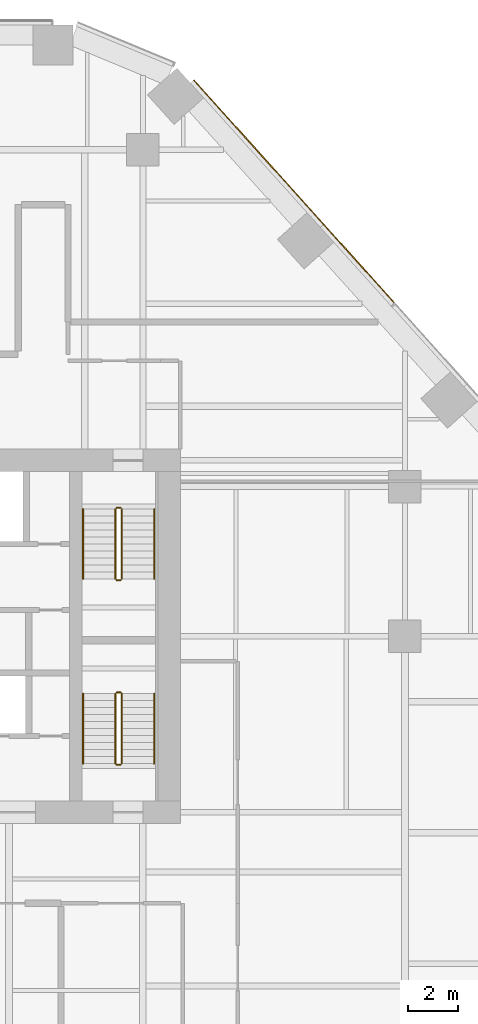
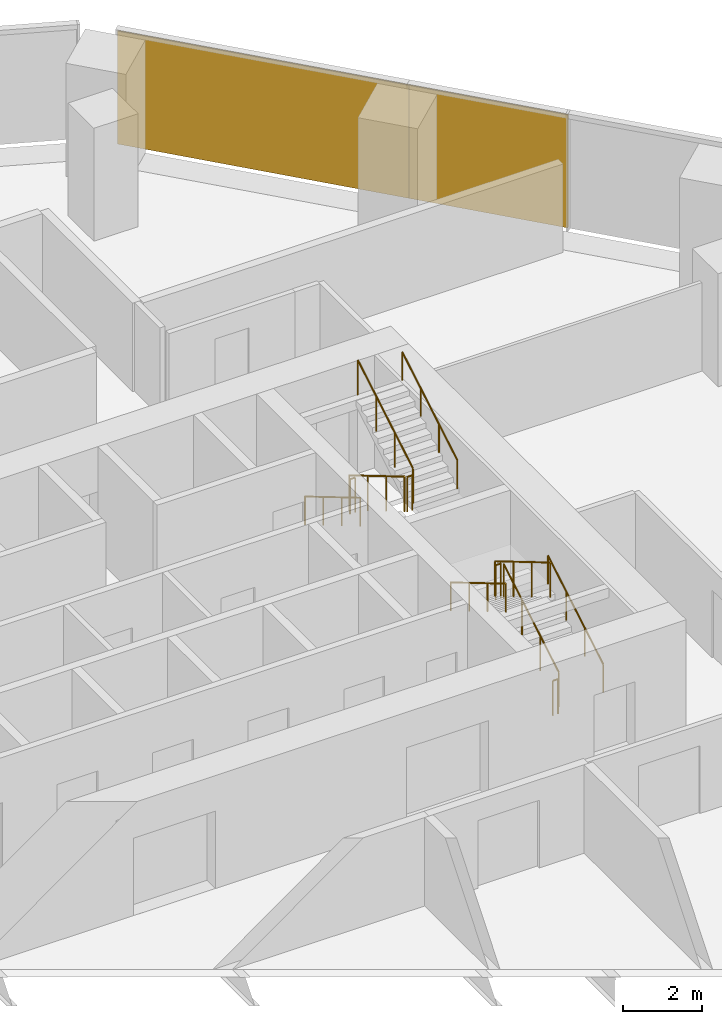
# One storey, part 20 of 21: 12 railings, 2 coverings, 1 element without a shape of its own.
"""IFC4 building model written with IfcOpenShell, lengths in metres."""

from ifc_helpers import new_model, si_unit, direction, frame, origin, origin_2d, place, context, subcontext, project, spatial, rectangle, circle, extrude, material, layer, layer_set, type_object, element, aggregate, save


model = new_model("IFC4")

# Units and contexts
model_context = context("Model", 3, precision=1e-05, world=origin(), true_north=direction((0.0, 1.0)))
body_context = subcontext(model_context, "Body", "Model", "MODEL_VIEW")
ifc_project = project(units=[si_unit("LENGTHUNIT", "METRE"), si_unit("AREAUNIT", "SQUARE_METRE"), si_unit("VOLUMEUNIT", "CUBIC_METRE"), si_unit("PLANEANGLEUNIT", "RADIAN"), si_unit("MASSUNIT", "GRAM", prefix="KILO")], contexts=[model_context])

# Site, building, storey
site_placement = place(None, origin())
site = spatial("IfcSite", under=ifc_project, at=site_placement, CompositionType="ELEMENT")
building_placement = place(site_placement, origin())
building = spatial("IfcBuilding", under=site, at=building_placement, Name="Isthmus Gate Tower", CompositionType="ELEMENT")
storey_placement = place(building_placement, frame((0.0, 0.0, 106.199951171875)))
storey = spatial("IfcBuildingStorey", under=building, at=storey_placement, Name="L25", CompositionType="ELEMENT", Elevation=106.199951171875)

# Curtain wall, coverings
ifc_material_1 = material(Name="Aluminium, pale champagne anodised", Category="aluminium")
ifc_layer_1 = layer(ifc_material_1, 0.199951171875)
ifc_layer_set_1 = layer_set([ifc_layer_1], Name="CW-1 UNITISED CURTAIN WALL 200 DEEP")
curtain_wall_type = type_object("IfcCurtainWallType", Name="CW-1 UNITISED CURTAIN WALL 200 DEEP", PredefinedType="NOTDEFINED", material=ifc_layer_set_1)
curtain_wall_placement = place(storey_placement, origin())
curtain_wall = element("IfcCurtainWall", 1, at=curtain_wall_placement, inside=storey, type_object=curtain_wall_type, Name="CW-1 NE L25", PredefinedType="NOTDEFINED")
ifc_material_2 = material(Name="Aluminium composite panel, pale champagne anodised", Category="aluminium")
ifc_layer_2 = layer(ifc_material_2, 0.0400390625)
ifc_layer_set_2 = layer_set([ifc_layer_2], Name="CW-1 PALE METAL PANEL 40")
covering_type = type_object("IfcCoveringType", Name="CW-1 PALE METAL PANEL 40", PredefinedType="CLADDING", material=ifc_layer_set_2)
covering_1_placement = place(storey_placement, frame((22.1630859375, 22.4326171875, 0.0), z_axis=(0.0, 0.0, 1.0), x_axis=(-0.669130606359, 0.743144825477, 0.0)))
covering_1 = element("IfcCovering", 2, at=covering_1_placement, type_object=covering_type, Name="CW-1 pale metal panel", PredefinedType="CLADDING", context=body_context, shape_type="SweptSolid", body=[
    extrude(rectangle(XDim=4.234619140625, YDim=0.0400390625, at=origin_2d()), origin(), (0.0, 0.0, 1.0), 3.5),
])
covering_2_placement = place(storey_placement, frame((18.14013671875, 26.900390625, 0.0), z_axis=(0.0, 0.0, 1.0), x_axis=(-0.669130606359, 0.743144825477, 0.0)))
covering_2 = element("IfcCovering", 3, at=covering_2_placement, type_object=covering_type, Name="CW-1 pale metal panel", PredefinedType="CLADDING", context=body_context, shape_type="SweptSolid", body=[
    extrude(rectangle(XDim=7.789306640625, YDim=0.0400390625, at=origin_2d()), origin(), (0.0, 0.0, 1.0), 3.5),
])
aggregate(curtain_wall, [covering_1, covering_2])

# Railings
ifc_material_3 = material(Name="Stainless steel balustrade", Category="steel")
railing_type_1 = type_object("IfcRailingType", Name="STAIR GUARD 1100", PredefinedType="GUARDRAIL", material=ifc_material_3)
railing_1_placement = place(storey_placement, frame((12.39990234375, 12.60009765625, 0.166015625)))
element("IfcRailing", 4, at=railing_1_placement, inside=storey, type_object=railing_type_1, Name="L25 ST2 stair guard 1", PredefinedType="GUARDRAIL", context=body_context, shape_type="SweptSolid", body=[
    extrude(circle(Radius=0.02392578125, at=origin_2d()), frame((0.0, 0.0, 1.076171875), z_axis=(0.0, -0.860339051648, 0.50972219513), x_axis=(1.0, 0.0, 0.0)), (0.0, 0.0, 1.0), 3.254638671875),
    extrude(circle(Radius=0.02099609375, at=origin_2d()), origin(), (0.0, 0.0, 1.0), 1.052001953125),
    extrude(circle(Radius=0.02099609375, at=origin_2d()), frame((0.0, -0.933349609375, 0.552978515625)), (0.0, 0.0, 1.0), 1.052001953125),
    extrude(circle(Radius=0.02099609375, at=origin_2d()), frame((0.0, -1.86669921875, 1.10595703125)), (0.0, 0.0, 1.0), 1.052001953125),
    extrude(circle(Radius=0.02099609375, at=origin_2d()), frame((0.0, -2.800048828125, 1.658935546875)), (0.0, 0.0, 1.0), 1.052001953125),
])
railing_2_placement = place(storey_placement, frame((12.449951171875, 9.75, 1.824951171875)))
element("IfcRailing", 5, at=railing_2_placement, inside=storey, type_object=railing_type_1, Name="L25 ST2 stair guard 2", PredefinedType="GUARDRAIL", context=body_context, shape_type="SweptSolid", body=[
    extrude(circle(Radius=0.02392578125, at=origin_2d()), frame((0.0, 0.0, 1.076171875), z_axis=(1.0, 0.0, 0.0), x_axis=(0.0, 1.0, 0.0)), (0.0, 0.0, 1.0), 0.150146484375),
    extrude(circle(Radius=0.02099609375, at=origin_2d()), origin(), (0.0, 0.0, 1.0), 1.052001953125),
    extrude(circle(Radius=0.02099609375, at=origin_2d()), frame((0.150146484375, 0.0, 0.0)), (0.0, 0.0, 1.0), 1.052001953125),
])
railing_3_placement = place(storey_placement, frame((12.64990234375, 9.800048828125, 1.990966796875)))
element("IfcRailing", 6, at=railing_3_placement, inside=storey, type_object=railing_type_1, Name="L25 ST2 stair guard 3", PredefinedType="GUARDRAIL", context=body_context, shape_type="SweptSolid", body=[
    extrude(circle(Radius=0.02392578125, at=origin_2d()), frame((0.0, 0.0, 1.076171875), z_axis=(0.0, 0.860306154799, 0.50977771628), x_axis=(-1.0, 0.0, 0.0)), (0.0, 0.0, 1.0), 3.254638671875),
    extrude(circle(Radius=0.02099609375, at=origin_2d()), origin(), (0.0, 0.0, 1.0), 1.052001953125),
    extrude(circle(Radius=0.02099609375, at=origin_2d()), frame((0.0, 0.933349609375, 0.552978515625)), (0.0, 0.0, 1.0), 1.052001953125),
    extrude(circle(Radius=0.02099609375, at=origin_2d()), frame((0.0, 1.86669921875, 1.106201171875)), (0.0, 0.0, 1.0), 1.052001953125),
    extrude(circle(Radius=0.02099609375, at=origin_2d()), frame((0.0, 2.800048828125, 1.6591796875)), (0.0, 0.0, 1.0), 1.052001953125),
])
railing_4_placement = place(storey_placement, frame((12.449951171875, 12.64990234375, 0.0)))
element("IfcRailing", 7, at=railing_4_placement, inside=storey, type_object=railing_type_1, Name="L25 ST2 stair guard 4", PredefinedType="GUARDRAIL", context=body_context, shape_type="SweptSolid", body=[
    extrude(circle(Radius=0.02392578125, at=origin_2d()), frame((0.0, 0.0, 1.076171875), z_axis=(1.0, 0.0, 0.0), x_axis=(0.0, 1.0, 0.0)), (0.0, 0.0, 1.0), 0.150146484375),
    extrude(circle(Radius=0.02099609375, at=origin_2d()), origin(), (0.0, 0.0, 1.0), 1.052001953125),
    extrude(circle(Radius=0.02099609375, at=origin_2d()), frame((0.150146484375, 0.0, 0.0)), (0.0, 0.0, 1.0), 1.052001953125),
])
railing_5_placement = place(storey_placement, frame((12.64990234375, 2.39990234375, 0.166015625)))
element("IfcRailing", 8, at=railing_5_placement, inside=storey, type_object=railing_type_1, Name="L25 ST8 stair guard 1", PredefinedType="GUARDRAIL", context=body_context, shape_type="SweptSolid", body=[
    extrude(circle(Radius=0.02392578125, at=origin_2d()), frame((0.0, 0.0, 1.076171875), z_axis=(0.0, 0.860339051648, 0.50972219513), x_axis=(-1.0, 0.0, 0.0)), (0.0, 0.0, 1.0), 3.254638671875),
    extrude(circle(Radius=0.02099609375, at=origin_2d()), origin(), (0.0, 0.0, 1.0), 1.052001953125),
    extrude(circle(Radius=0.02099609375, at=origin_2d()), frame((0.0, 0.933349609375, 0.552978515625)), (0.0, 0.0, 1.0), 1.052001953125),
    extrude(circle(Radius=0.02099609375, at=origin_2d()), frame((0.0, 1.86669921875, 1.10595703125)), (0.0, 0.0, 1.0), 1.052001953125),
    extrude(circle(Radius=0.02099609375, at=origin_2d()), frame((0.0, 2.800048828125, 1.658935546875)), (0.0, 0.0, 1.0), 1.052001953125),
])
railing_6_placement = place(storey_placement, frame((12.60009765625, 5.25, 1.824951171875)))
element("IfcRailing", 9, at=railing_6_placement, inside=storey, type_object=railing_type_1, Name="L25 ST8 stair guard 2", PredefinedType="GUARDRAIL", context=body_context, shape_type="SweptSolid", body=[
    extrude(circle(Radius=0.02392578125, at=origin_2d()), frame((0.0, 0.0, 1.076171875), z_axis=(-1.0, 0.0, 0.0), x_axis=(0.0, -1.0, 0.0)), (0.0, 0.0, 1.0), 0.150146484375),
    extrude(circle(Radius=0.02099609375, at=origin_2d()), origin(), (0.0, 0.0, 1.0), 1.052001953125),
    extrude(circle(Radius=0.02099609375, at=origin_2d()), frame((-0.150146484375, 0.0, 0.0)), (0.0, 0.0, 1.0), 1.052001953125),
])
railing_7_placement = place(storey_placement, frame((12.39990234375, 5.199951171875, 1.990966796875)))
element("IfcRailing", 10, at=railing_7_placement, inside=storey, type_object=railing_type_1, Name="L25 ST8 stair guard 3", PredefinedType="GUARDRAIL", context=body_context, shape_type="SweptSolid", body=[
    extrude(circle(Radius=0.02392578125, at=origin_2d()), frame((0.0, 0.0, 1.076171875), z_axis=(0.0, -0.860306154799, 0.50977771628), x_axis=(1.0, 0.0, 0.0)), (0.0, 0.0, 1.0), 3.254638671875),
    extrude(circle(Radius=0.02099609375, at=origin_2d()), origin(), (0.0, 0.0, 1.0), 1.052001953125),
    extrude(circle(Radius=0.02099609375, at=origin_2d()), frame((0.0, -0.933349609375, 0.552978515625)), (0.0, 0.0, 1.0), 1.052001953125),
    extrude(circle(Radius=0.02099609375, at=origin_2d()), frame((0.0, -1.86669921875, 1.106201171875)), (0.0, 0.0, 1.0), 1.052001953125),
    extrude(circle(Radius=0.02099609375, at=origin_2d()), frame((0.0, -2.800048828125, 1.6591796875)), (0.0, 0.0, 1.0), 1.052001953125),
])
railing_8_placement = place(storey_placement, frame((12.60009765625, 2.35009765625, 0.0)))
element("IfcRailing", 11, at=railing_8_placement, inside=storey, type_object=railing_type_1, Name="L25 ST8 stair guard 4", PredefinedType="GUARDRAIL", context=body_context, shape_type="SweptSolid", body=[
    extrude(circle(Radius=0.02392578125, at=origin_2d()), frame((0.0, 0.0, 1.076171875), z_axis=(-1.0, 0.0, 0.0), x_axis=(0.0, -1.0, 0.0)), (0.0, 0.0, 1.0), 0.150146484375),
    extrude(circle(Radius=0.02099609375, at=origin_2d()), origin(), (0.0, 0.0, 1.0), 1.052001953125),
    extrude(circle(Radius=0.02099609375, at=origin_2d()), frame((-0.150146484375, 0.0, 0.0)), (0.0, 0.0, 1.0), 1.052001953125),
])
ifc_material_4 = material(Name="Stainless steel handrail", Category="steel")
railing_type_2 = type_object("IfcRailingType", Name="STAIR HANDRAIL 900", PredefinedType="HANDRAIL", material=ifc_material_4)
railing_9_placement = place(storey_placement, frame((11.10009765625, 12.60009765625, 0.166015625)))
element("IfcRailing", 12, at=railing_9_placement, inside=storey, type_object=railing_type_2, Name="L25 ST2 stair handrail 1", PredefinedType="HANDRAIL", context=body_context, shape_type="SweptSolid", body=[
    extrude(circle(Radius=0.02392578125, at=origin_2d()), frame((0.0, 0.0, 0.8759765625), z_axis=(0.0, -0.860339051648, 0.50972219513), x_axis=(1.0, 0.0, 0.0)), (0.0, 0.0, 1.0), 3.254638671875),
    extrude(circle(Radius=0.02099609375, at=origin_2d()), origin(), (0.0, 0.0, 1.0), 0.851806640625),
    extrude(circle(Radius=0.02099609375, at=origin_2d()), frame((0.0, -0.933349609375, 0.552978515625)), (0.0, 0.0, 1.0), 0.851806640625),
    extrude(circle(Radius=0.02099609375, at=origin_2d()), frame((0.0, -1.86669921875, 1.10595703125)), (0.0, 0.0, 1.0), 0.851806640625),
    extrude(circle(Radius=0.02099609375, at=origin_2d()), frame((0.0, -2.800048828125, 1.658935546875)), (0.0, 0.0, 1.0), 0.851806640625),
])
railing_10_placement = place(storey_placement, frame((13.949951171875, 9.800048828125, 1.990966796875)))
element("IfcRailing", 13, at=railing_10_placement, inside=storey, type_object=railing_type_2, Name="L25 ST2 stair handrail 2", PredefinedType="HANDRAIL", context=body_context, shape_type="SweptSolid", body=[
    extrude(circle(Radius=0.02392578125, at=origin_2d()), frame((0.0, 0.0, 0.8759765625), z_axis=(0.0, 0.860306154799, 0.50977771628), x_axis=(-1.0, 0.0, 0.0)), (0.0, 0.0, 1.0), 3.254638671875),
    extrude(circle(Radius=0.02099609375, at=origin_2d()), origin(), (0.0, 0.0, 1.0), 0.851806640625),
    extrude(circle(Radius=0.02099609375, at=origin_2d()), frame((0.0, 0.933349609375, 0.552978515625)), (0.0, 0.0, 1.0), 0.851806640625),
    extrude(circle(Radius=0.02099609375, at=origin_2d()), frame((0.0, 1.86669921875, 1.106201171875)), (0.0, 0.0, 1.0), 0.851806640625),
    extrude(circle(Radius=0.02099609375, at=origin_2d()), frame((0.0, 2.800048828125, 1.6591796875)), (0.0, 0.0, 1.0), 0.851806640625),
])
railing_11_placement = place(storey_placement, frame((13.949951171875, 2.39990234375, 0.166015625)))
element("IfcRailing", 14, at=railing_11_placement, inside=storey, type_object=railing_type_2, Name="L25 ST8 stair handrail 1", PredefinedType="HANDRAIL", context=body_context, shape_type="SweptSolid", body=[
    extrude(circle(Radius=0.02392578125, at=origin_2d()), frame((0.0, 0.0, 0.8759765625), z_axis=(0.0, 0.860339051648, 0.50972219513), x_axis=(-1.0, 0.0, 0.0)), (0.0, 0.0, 1.0), 3.254638671875),
    extrude(circle(Radius=0.02099609375, at=origin_2d()), origin(), (0.0, 0.0, 1.0), 0.851806640625),
    extrude(circle(Radius=0.02099609375, at=origin_2d()), frame((0.0, 0.933349609375, 0.552978515625)), (0.0, 0.0, 1.0), 0.851806640625),
    extrude(circle(Radius=0.02099609375, at=origin_2d()), frame((0.0, 1.86669921875, 1.10595703125)), (0.0, 0.0, 1.0), 0.851806640625),
    extrude(circle(Radius=0.02099609375, at=origin_2d()), frame((0.0, 2.800048828125, 1.658935546875)), (0.0, 0.0, 1.0), 0.851806640625),
])
railing_12_placement = place(storey_placement, frame((11.10009765625, 5.199951171875, 1.990966796875)))
element("IfcRailing", 15, at=railing_12_placement, inside=storey, type_object=railing_type_2, Name="L25 ST8 stair handrail 2", PredefinedType="HANDRAIL", context=body_context, shape_type="SweptSolid", body=[
    extrude(circle(Radius=0.02392578125, at=origin_2d()), frame((0.0, 0.0, 0.8759765625), z_axis=(0.0, -0.860306154799, 0.50977771628), x_axis=(1.0, 0.0, 0.0)), (0.0, 0.0, 1.0), 3.254638671875),
    extrude(circle(Radius=0.02099609375, at=origin_2d()), origin(), (0.0, 0.0, 1.0), 0.851806640625),
    extrude(circle(Radius=0.02099609375, at=origin_2d()), frame((0.0, -0.933349609375, 0.552978515625)), (0.0, 0.0, 1.0), 0.851806640625),
    extrude(circle(Radius=0.02099609375, at=origin_2d()), frame((0.0, -1.86669921875, 1.106201171875)), (0.0, 0.0, 1.0), 0.851806640625),
    extrude(circle(Radius=0.02099609375, at=origin_2d()), frame((0.0, -2.800048828125, 1.6591796875)), (0.0, 0.0, 1.0), 0.851806640625),
])

save(model, "model.ifc")
